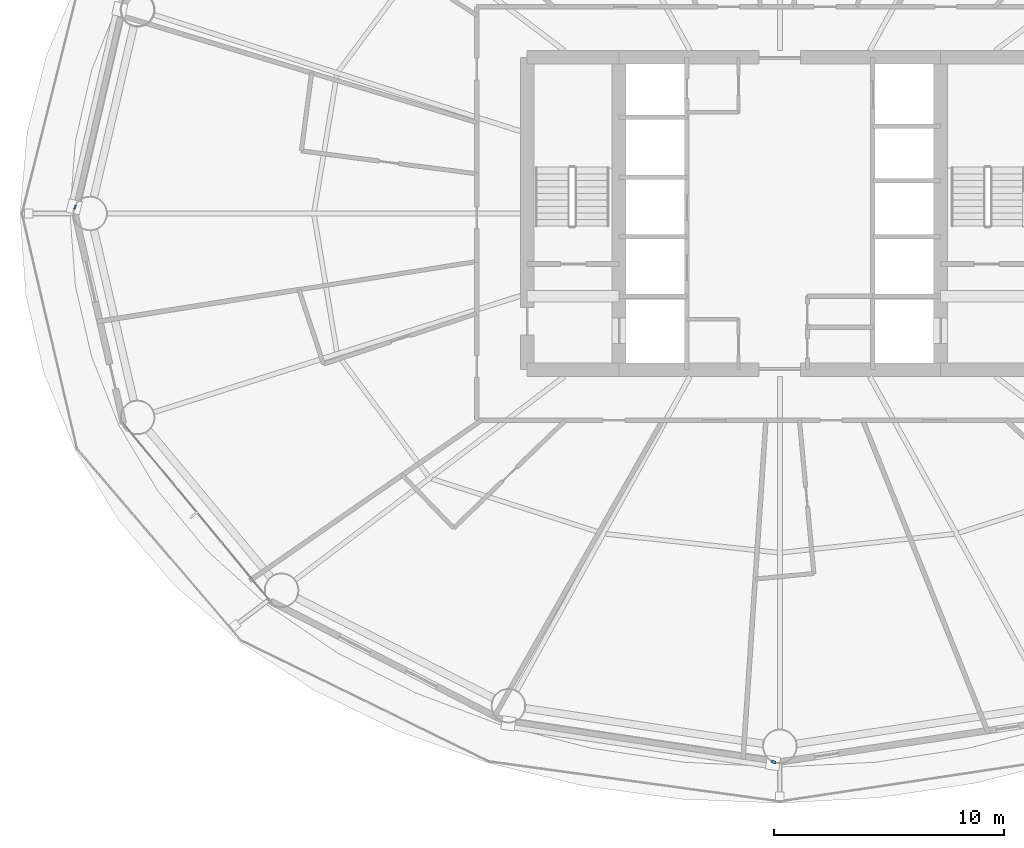
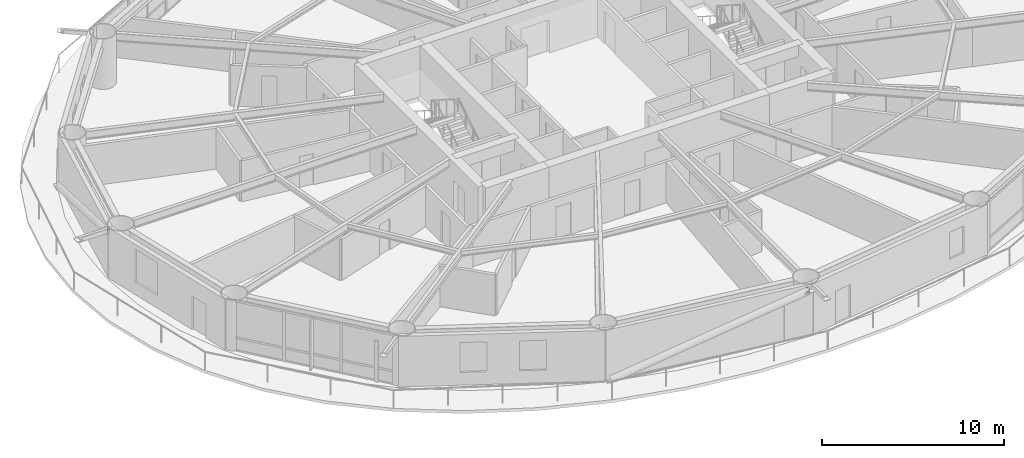
# One storey, part 16 of 28: 2 members.
"""IFC4 building model written with IfcOpenShell, lengths in metres."""

import ifcopenshell
import ifcopenshell.guid

model = None  # the IFC model being written
_history = None  # IfcOwnerHistory: only IFC2X3 demands one
_inside = {}  # id of a spatial element -> (the spatial element, [elements in it])
_under = {}  # id of a project, library or spatial element -> (it, [spatial elements below it])
_declared = {}  # id of a project -> (the project, [libraries it declares])
_typed = {}  # id of a type object -> (the type object, [elements of that type])
_made_of = {}  # id of a material, layer set ... -> (it, [elements and type objects made of it])


def new_model(schema):
    """Start an empty IFC model of exactly this schema.

    Asked for "IFC4X3", IfcOpenShell would pick the latest addendum, in which some entities
    have other attributes; the version numbers below select the first issue.
    IFC2X3 requires an IfcOwnerHistory on every rooted entity: one is made here for all.
    """
    global model, _history
    if schema == "IFC4X3":
        model = ifcopenshell.file(schema_version=(4, 3, 0, 0))
    else:
        model = ifcopenshell.file(schema=schema)
    _inside.clear()
    _under.clear()
    _declared.clear()
    _typed.clear()
    _made_of.clear()
    _history = None
    if model.schema == "IFC2X3":
        org = make("IfcOrganization", Name="unknown")
        user = make(
            "IfcPersonAndOrganization",
            ThePerson=make("IfcPerson", FamilyName="unknown"),
            TheOrganization=org,
        )
        app = make(
            "IfcApplication",
            ApplicationDeveloper=org,
            Version="unknown",
            ApplicationFullName="unknown",
            ApplicationIdentifier="unknown",
        )
        _history = make(
            "IfcOwnerHistory",
            OwningUser=user,
            OwningApplication=app,
            ChangeAction="ADDED",
            CreationDate=0,
        )
    return model


def make(cls, **values):
    """One entity of the class cls with the attributes given. An attribute that is None is left unset."""
    return model.create_entity(
        cls, **{name: value for name, value in values.items() if value is not None}
    )


def rooted(cls, **values):
    """An entity with a GlobalId (a new one), such as an element, a storey or a relation."""
    return make(cls, GlobalId=ifcopenshell.guid.new(), OwnerHistory=_history, **values)


def si_unit(unit_type, name, prefix=None):
    """IfcSIUnit, for example si_unit("LENGTHUNIT", "METRE", prefix="MILLI")."""
    return make("IfcSIUnit", UnitType=unit_type, Prefix=prefix, Name=name)


def assignment(units):
    """IfcUnitAssignment: the units of a project."""
    return None if units is None else make("IfcUnitAssignment", Units=units)


def point(xyz):
    """IfcCartesianPoint."""
    return None if xyz is None else make("IfcCartesianPoint", Coordinates=xyz)


def direction(xyz):
    """IfcDirection."""
    return None if xyz is None else make("IfcDirection", DirectionRatios=xyz)


def frame(location, z_axis=None, x_axis=None):
    """IfcAxis2Placement3D, a coordinate frame: its origin and axes. An axis left out is left unset."""
    return make(
        "IfcAxis2Placement3D",
        Location=point(location),
        Axis=direction(z_axis),
        RefDirection=direction(x_axis),
    )


def frame_2d(location, x_axis=None):
    """IfcAxis2Placement2D, a coordinate frame in the plane: its origin and x axis."""
    return make(
        "IfcAxis2Placement2D", Location=point(location), RefDirection=direction(x_axis)
    )


def origin():
    """The frame at (0, 0, 0) with its axes left unset."""
    return frame((0.0, 0.0, 0.0))


def origin_2d():
    """The frame at (0, 0) in the plane with its x axis left unset."""
    return frame_2d((0.0, 0.0))


def place(relative_to, where):
    """IfcLocalPlacement: puts the frame where relative to a parent placement (None: the world)."""
    return make(
        "IfcLocalPlacement", PlacementRelTo=relative_to, RelativePlacement=where
    )


def context(
    kind, dimensions, precision=None, world=None, true_north=None, identifier=None
):
    """IfcGeometricRepresentationContext, for example the 3D "Model" context."""
    return make(
        "IfcGeometricRepresentationContext",
        ContextIdentifier=identifier,
        ContextType=kind,
        CoordinateSpaceDimension=dimensions,
        Precision=precision,
        WorldCoordinateSystem=world,
        TrueNorth=true_north,
    )


def subcontext(parent, identifier, kind, view, scale=None):
    """IfcGeometricRepresentationSubContext, for example "Body" below "Model"."""
    return make(
        "IfcGeometricRepresentationSubContext",
        ContextIdentifier=identifier,
        ContextType=kind,
        ParentContext=parent,
        TargetScale=scale,
        TargetView=view,
    )


def project(units=None, contexts=None):
    """IfcProject with its units and contexts."""
    return rooted(
        "IfcProject",
        Name="project",
        RepresentationContexts=contexts,
        UnitsInContext=assignment(units),
    )


def spatial(cls, under=None, at=None, **own):
    """A site, building, storey or space (cls), placed at a placement, below another one or the project."""
    s = rooted(cls, ObjectPlacement=at, **own)
    if under is not None:
        _under.setdefault(under.id(), (under, []))[1].append(s)
    return s


def profile(cls, at=None, kind="AREA", **sizes):
    """A parametric profile (cls). Its sizes go by their IFC names, for example OverallWidth=200.0."""
    return make(cls, ProfileType=kind, Position=at, **sizes)


def hollow_rectangle(**sizes):
    """IfcRectangleHollowProfileDef."""
    return profile("IfcRectangleHollowProfileDef", **sizes)


def extrude(swept, where, along, depth):
    """IfcExtrudedAreaSolid: the profile swept, set in the frame where, extruded along a direction by depth."""
    return make(
        "IfcExtrudedAreaSolid",
        SweptArea=swept,
        Position=where,
        ExtrudedDirection=direction(along),
        Depth=depth,
    )


def shape(context_of_items, identifier, shape_type, items):
    """IfcShapeRepresentation: the items that make up one representation, for example the "Body"."""
    return make(
        "IfcShapeRepresentation",
        ContextOfItems=context_of_items,
        RepresentationIdentifier=identifier,
        RepresentationType=shape_type,
        Items=items,
    )


def material(Name=None, Category=None):
    """IfcMaterial."""
    return make("IfcMaterial", Name=Name, Category=Category)


def material_profile(
    of_material, cross_section, Name=None, Category=None, Priority=None
):
    """IfcMaterialProfile: a cross section and its material."""
    return make(
        "IfcMaterialProfile",
        Name=Name,
        Material=of_material,
        Profile=cross_section,
        Priority=Priority,
        Category=Category,
    )


def profile_set(profiles, Name=None, composite=None):
    """IfcMaterialProfileSet."""
    return make(
        "IfcMaterialProfileSet",
        Name=Name,
        MaterialProfiles=profiles,
        CompositeProfile=composite,
    )


def made_of(thing, what):
    """Note that an element or type object is made of a material, layer set ...; save() writes the relation."""
    if what is not None:
        _made_of.setdefault(what.id(), (what, []))[1].append(thing)
    return thing


def type_object(cls, material=None, **own):
    """A type object (cls), such as IfcWallType, which elements share."""
    return made_of(rooted(cls, **own), material)


def element(
    cls,
    number,
    at=None,
    inside=None,
    cuts=None,
    type_object=None,
    material=None,
    context=None,
    identifier="Body",
    shape_type=None,
    held_by="IfcProductDefinitionShape",
    body=None,
    shapes=None,
    **own,
):
    """One element of the class cls, such as IfcWall. Its Tag is "e" and its number.

    at: its placement. inside: the storey or other place that contains it. cuts: it is an
    opening in that element (IfcRelVoidsElement). A single representation is given by context,
    identifier, shape_type and body (its items); several are given by shapes. held_by: the class
    of the entity that holds the representations. save() writes the other relations.
    """
    e = rooted(cls, Tag="e%d" % number, ObjectPlacement=at, **own)
    if body is not None:
        shapes = [shape(context, identifier, shape_type, body)]
    if shapes is not None:
        e.Representation = make(held_by, Representations=shapes)
    if inside is not None:
        _inside.setdefault(inside.id(), (inside, []))[1].append(e)
    if cuts is not None:
        rooted(
            "IfcRelVoidsElement", RelatingBuildingElement=cuts, RelatedOpeningElement=e
        )
    if type_object is not None:
        _typed.setdefault(type_object.id(), (type_object, []))[1].append(e)
    return made_of(e, material)


def aggregate(whole, parts):
    """IfcRelAggregates: a whole, such as a stair, and the parts it consists of."""
    return rooted("IfcRelAggregates", RelatingObject=whole, RelatedObjects=parts)


def save(model, path):
    """Write the relations noted so far, then the file.

    IfcRelAggregates (storeys below a building ...), IfcRelContainedInSpatialStructure (elements
    in a storey), IfcRelDefinesByType, IfcRelAssociatesMaterial and IfcRelDeclares: one each for
    every whole, place, type object, material and project.
    """
    for whole, parts in _under.values():
        aggregate(whole, parts)
    for where, things in _inside.values():
        rooted(
            "IfcRelContainedInSpatialStructure",
            RelatedElements=things,
            RelatingStructure=where,
        )
    for kind, things in _typed.values():
        rooted("IfcRelDefinesByType", RelatedObjects=things, RelatingType=kind)
    for what, things in _made_of.values():
        rooted("IfcRelAssociatesMaterial", RelatedObjects=things, RelatingMaterial=what)
    for by, libraries in _declared.values():
        rooted("IfcRelDeclares", RelatingContext=by, RelatedDefinitions=libraries)
    model.write(path)


model = new_model("IFC4")

# Units and contexts
model_context = context("Model", 3, precision=1e-05, world=origin(), true_north=direction((0.0, 1.0)))
body_context = subcontext(model_context, "Body", "Model", "MODEL_VIEW")
ifc_project = project(units=[si_unit("LENGTHUNIT", "METRE"), si_unit("AREAUNIT", "SQUARE_METRE"), si_unit("VOLUMEUNIT", "CUBIC_METRE"), si_unit("PLANEANGLEUNIT", "RADIAN"), si_unit("MASSUNIT", "GRAM", prefix="KILO")], contexts=[model_context])

# Site, building, storey
site_placement = place(None, origin())
site = spatial("IfcSite", under=ifc_project, at=site_placement, CompositionType="ELEMENT")
building_placement = place(site_placement, origin())
building = spatial("IfcBuilding", under=site, at=building_placement, Name="Sarneth Arch Tower", CompositionType="ELEMENT")
storey_placement = place(building_placement, frame((0.0, 0.0, 67.800048828125)))
storey = spatial("IfcBuildingStorey", under=building, at=storey_placement, Name="L16", CompositionType="ELEMENT", Elevation=67.800048828125)

# Members
ifc_material = material(Name="Steel S355", Category="steel")
ifc_material_profile = material_profile(ifc_material, hollow_rectangle(XDim=0.199951171875, YDim=0.300048828125, WallThickness=0.012451171875, InnerFilletRadius=0.018798828125, OuterFilletRadius=0.03125, at=origin_2d()), Name="RHS300x200x12.5")
ifc_profile_set = profile_set([ifc_material_profile], Name="Steel S355")
member_type = type_object("IfcMemberType", Name="MEM-CANT-STRUT", PredefinedType="STRUT", material=ifc_profile_set)
member_1_placement = place(storey_placement, frame((17.343505859375, 42.26318359375, 3.0068359375), z_axis=(-0.921327592233, 0.388787175446, 0.0), x_axis=(-0.388787175446, -0.921327592233, 0.0)))
element("IfcMember", 1, at=member_1_placement, inside=storey, type_object=member_type, Name="L16 Exoskeleton brace node strut 08B", PredefinedType="STRUT", context=body_context, shape_type="SweptSolid", body=[
    extrude(hollow_rectangle(XDim=0.199951171875, YDim=0.300048828125, WallThickness=0.012451171875, InnerFilletRadius=0.018798828125, OuterFilletRadius=0.03125, at=origin_2d()), origin(), (0.0, 0.0, 1.0), 0.07470703125),
])
member_2_placement = place(storey_placement, frame((47.74755859375, 18.174072265625, 3.0068359375), z_axis=(-0.374599922936, -0.927186549588, 0.0), x_axis=(0.927186549588, -0.374599922936, 0.0)))
element("IfcMember", 2, at=member_2_placement, inside=storey, type_object=member_type, Name="L16 Exoskeleton brace node strut 12B", PredefinedType="STRUT", context=body_context, shape_type="SweptSolid", body=[
    extrude(hollow_rectangle(XDim=0.199951171875, YDim=0.300048828125, WallThickness=0.012451171875, InnerFilletRadius=0.018798828125, OuterFilletRadius=0.03125, at=origin_2d()), origin(), (0.0, 0.0, 1.0), 0.117919921875),
])

save(model, "model.ifc")
